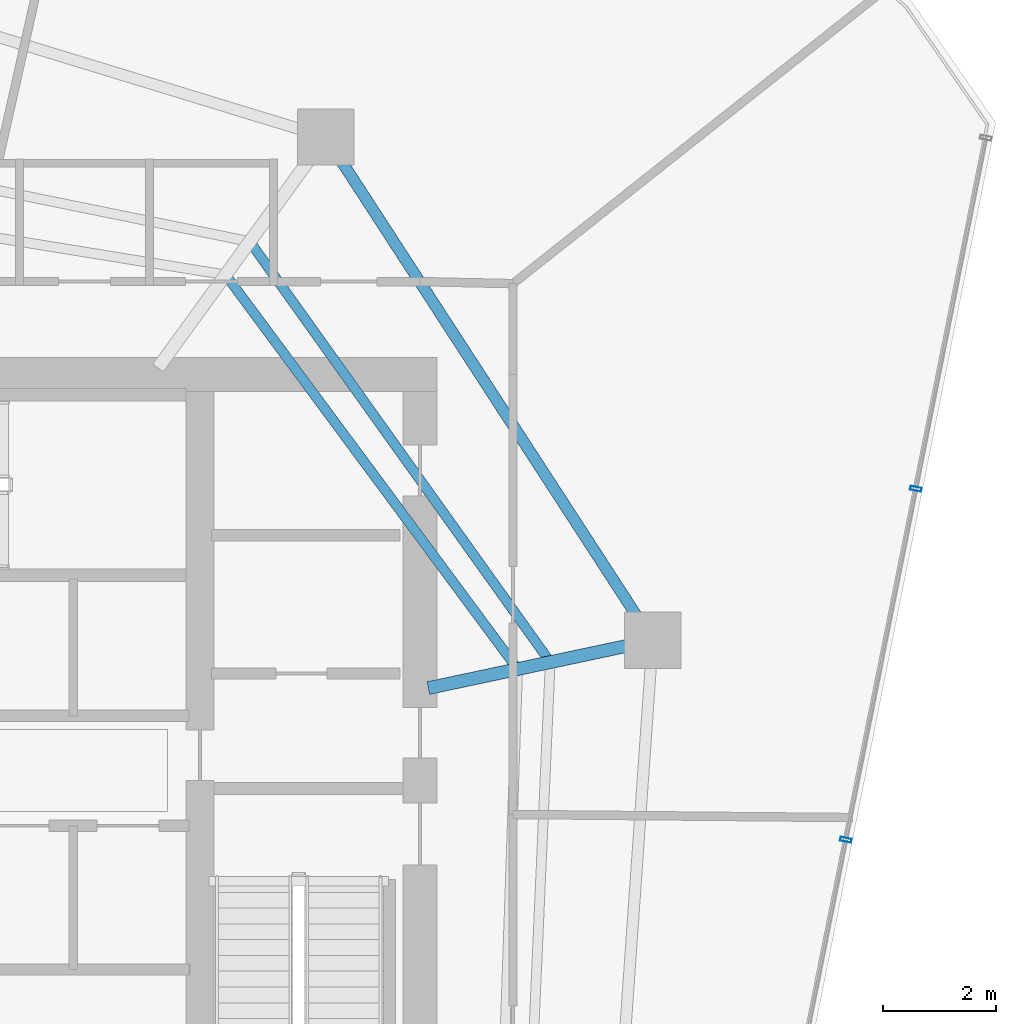
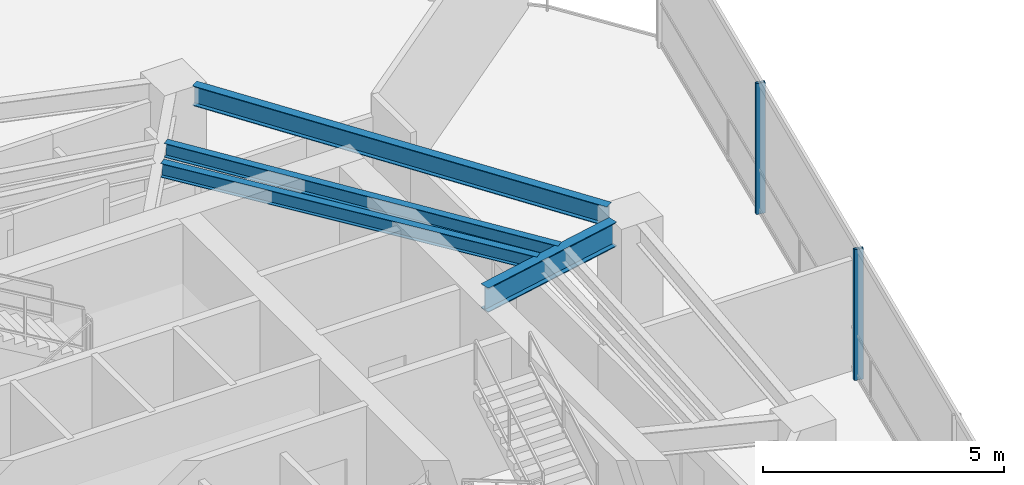
# One storey, part 10 of 20: 4 beams, 2 members, 1 element without a shape of its own.
"""IFC4 building model written with IfcOpenShell, lengths in metres."""

from ifc_helpers import new_model, si_unit, direction, frame, origin, origin_2d, place, context, subcontext, project, spatial, hollow_rectangle, i_section, extrude, material, layer, layer_set, material_profile, profile_set, type_object, element, aggregate, save


model = new_model("IFC4")

# Units and contexts
model_context = context("Model", 3, precision=1e-05, world=origin(), true_north=direction((0.0, 1.0)))
body_context = subcontext(model_context, "Body", "Model", "MODEL_VIEW")
ifc_project = project(units=[si_unit("LENGTHUNIT", "METRE"), si_unit("AREAUNIT", "SQUARE_METRE"), si_unit("VOLUMEUNIT", "CUBIC_METRE"), si_unit("PLANEANGLEUNIT", "RADIAN"), si_unit("MASSUNIT", "GRAM", prefix="KILO")], contexts=[model_context])

# Site, building, storey
site_placement = place(None, origin())
site = spatial("IfcSite", under=ifc_project, at=site_placement, CompositionType="ELEMENT")
building_placement = place(site_placement, origin())
building = spatial("IfcBuilding", under=site, at=building_placement, Name="Qarnah Convention Tower", CompositionType="ELEMENT")
storey_placement = place(building_placement, frame((0.0, 0.0, 136.5)))
storey = spatial("IfcBuildingStorey", under=building, at=storey_placement, Name="L36", CompositionType="ELEMENT", Elevation=136.5)

# Beams
ifc_material_1 = material(Name="Structural steel S355JR", Category="steel")
ifc_material_profile_1 = material_profile(ifc_material_1, i_section(OverallWidth=0.172119140625, OverallDepth=0.35595703125, WebThickness=0.007080078125, FlangeThickness=0.011962890625, at=origin_2d()), Name="W360X51")
ifc_profile_set_1 = profile_set([ifc_material_profile_1], Name="Structural steel S355JR")
beam_type_1 = type_object("IfcBeamType", Name="BM-JST-W360", PredefinedType="JOIST", material=ifc_profile_set_1)
beam_1_placement = place(storey_placement, frame((49.85791015625, 29.174072265625, 3.14208984375), z_axis=(-0.581261320914, 0.813716951286, 0.0), x_axis=(-0.813716951286, -0.581261320914, 0.0)))
element("IfcBeam", 1, at=beam_1_placement, inside=storey, type_object=beam_type_1, Name="L36 joist BM-L36-SJST-01", PredefinedType="JOIST", context=body_context, shape_type="SweptSolid", body=[
    extrude(i_section(OverallWidth=0.172119140625, OverallDepth=0.35595703125, WebThickness=0.007080078125, FlangeThickness=0.011962890625, at=origin_2d()), origin(), (0.0, 0.0, 1.0), 8.987060546875),
])
beam_2_placement = place(storey_placement, frame((49.278076171875, 29.050048828125, 3.14208984375), z_axis=(-0.595115858154, 0.803639916488, 0.0), x_axis=(-0.803639916488, -0.595115858154, 0.0)))
element("IfcBeam", 2, at=beam_2_placement, inside=storey, type_object=beam_type_1, Name="L36 joist BM-L36-IJST-01", PredefinedType="JOIST", context=body_context, shape_type="SweptSolid", body=[
    extrude(i_section(OverallWidth=0.172119140625, OverallDepth=0.35595703125, WebThickness=0.007080078125, FlangeThickness=0.011962890625, at=origin_2d()), origin(), (0.0, 0.0, 1.0), 8.52099609375),
])
ifc_material_profile_2 = material_profile(ifc_material_1, i_section(OverallWidth=0.22998046875, OverallDepth=0.617919921875, WebThickness=0.012939453125, FlangeThickness=0.02197265625, at=origin_2d()), Name="W610X140")
ifc_profile_set_2 = profile_set([ifc_material_profile_2], Name="Structural steel S355JR")
beam_type_2 = type_object("IfcBeamType", Name="BM-RAD-W610A", PredefinedType="BEAM", material=ifc_profile_set_2)
beam_3_placement = place(storey_placement, frame((47.7470703125, 28.64111328125, 3.010986328125), z_axis=(0.978133929389, 0.207975999045, 0.0), x_axis=(-0.207975999045, 0.978133929389, 0.0)))
element("IfcBeam", 3, at=beam_3_placement, inside=storey, type_object=beam_type_2, Name="L36 beam BM-L36-RAD-01", PredefinedType="BEAM", context=body_context, shape_type="SweptSolid", body=[
    extrude(i_section(OverallWidth=0.22998046875, OverallDepth=0.617919921875, WebThickness=0.012939453125, FlangeThickness=0.02197265625, at=origin_2d()), origin(), (0.0, 0.0, 1.0), 3.586181640625),
])
ifc_material_profile_3 = material_profile(ifc_material_1, i_section(OverallWidth=0.199951171875, OverallDepth=0.5, WebThickness=0.010009765625, FlangeThickness=0.01611328125, at=origin_2d()), Name="IPE500")
ifc_profile_set_3 = profile_set([ifc_material_profile_3], Name="Structural steel S355JR")
beam_type_3 = type_object("IfcBeamType", Name="BM-SPN-IPE500", PredefinedType="SPANDREL", material=ifc_profile_set_3)
beam_4_placement = place(storey_placement, frame((51.4580078125, 29.89794921875, 3.070068359375), z_axis=(-0.544531816504, 0.838740186717, 0.0), x_axis=(-0.838740186717, -0.544531816504, 0.0)))
element("IfcBeam", 4, at=beam_4_placement, inside=storey, type_object=beam_type_3, Name="L36 spandrel BM-L36-SPN-01", PredefinedType="SPANDREL", context=body_context, shape_type="SweptSolid", body=[
    extrude(i_section(OverallWidth=0.199951171875, OverallDepth=0.5, WebThickness=0.010009765625, FlangeThickness=0.01611328125, at=origin_2d()), origin(), (0.0, 0.0, 1.0), 9.663330078125),
])

# Curtain wall, members
ifc_material_2 = material(Name="Tempered Low-E dark glass", Category="glass")
ifc_layer = layer(ifc_material_2, 0.172119140625)
ifc_layer_set = layer_set([ifc_layer], Name="Tempered Low-E dark glass")
curtain_wall_type = type_object("IfcCurtainWallType", Name="CWS-03", PredefinedType="NOTDEFINED", material=ifc_layer_set)
curtain_wall_placement = place(storey_placement, origin())
curtain_wall = element("IfcCurtainWall", 5, at=curtain_wall_placement, inside=storey, type_object=curtain_wall_type, Name="L36 unitised curtain wall CW-L36-F1", PredefinedType="NOTDEFINED")
ifc_material_3 = material(Name="Black anodised aluminium", Category="aluminium")
ifc_material_profile_4 = material_profile(ifc_material_3, hollow_rectangle(XDim=0.070068359375, YDim=0.199951171875, WallThickness=0.0048828125, at=origin_2d()), Name="MUL-70X200")
ifc_profile_set_4 = profile_set([ifc_material_profile_4], Name="Black anodised aluminium")
member_type = type_object("IfcMemberType", Name="MUL-T3", PredefinedType="MULLION", material=ifc_profile_set_4)
member_1_placement = place(storey_placement, frame((56.393310546875, 32.1748046875, 0.0), z_axis=(0.0, 0.0, 1.0), x_axis=(-0.195625245476, -0.980678725849, 0.0)))
member_1 = element("IfcMember", 6, at=member_1_placement, type_object=member_type, Name="CW-L36-F1 mullion 2", PredefinedType="MULLION", context=body_context, shape_type="SweptSolid", body=[
    extrude(hollow_rectangle(XDim=0.070068359375, YDim=0.199951171875, WallThickness=0.0048828125, at=origin_2d()), origin(), (0.0, 0.0, 1.0), 3.320068359375),
])
member_2_placement = place(storey_placement, frame((55.15185546875, 25.95068359375, 0.0), z_axis=(0.0, 0.0, 1.0), x_axis=(-0.195625245476, -0.980678725849, 0.0)))
member_2 = element("IfcMember", 7, at=member_2_placement, type_object=member_type, Name="CW-L36-F1 mullion 3", PredefinedType="MULLION", context=body_context, shape_type="SweptSolid", body=[
    extrude(hollow_rectangle(XDim=0.070068359375, YDim=0.199951171875, WallThickness=0.0048828125, at=origin_2d()), origin(), (0.0, 0.0, 1.0), 3.320068359375),
])
aggregate(curtain_wall, [member_1, member_2])

save(model, "model.ifc")
